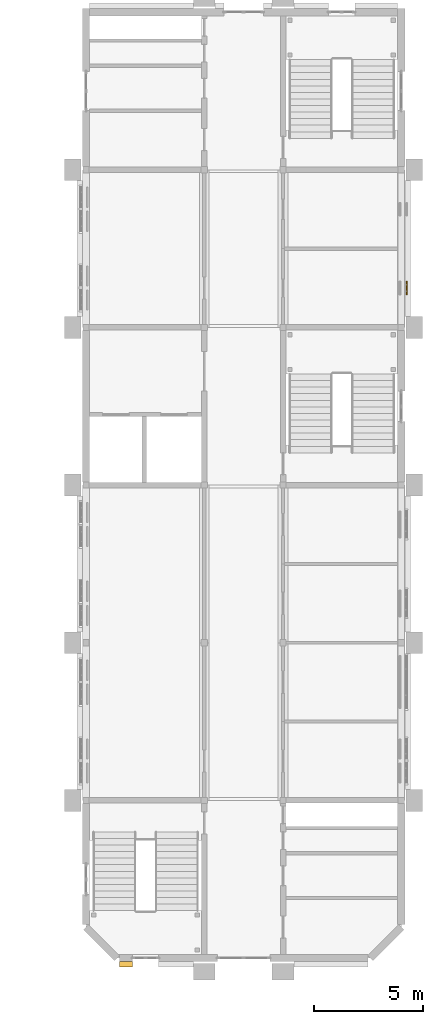
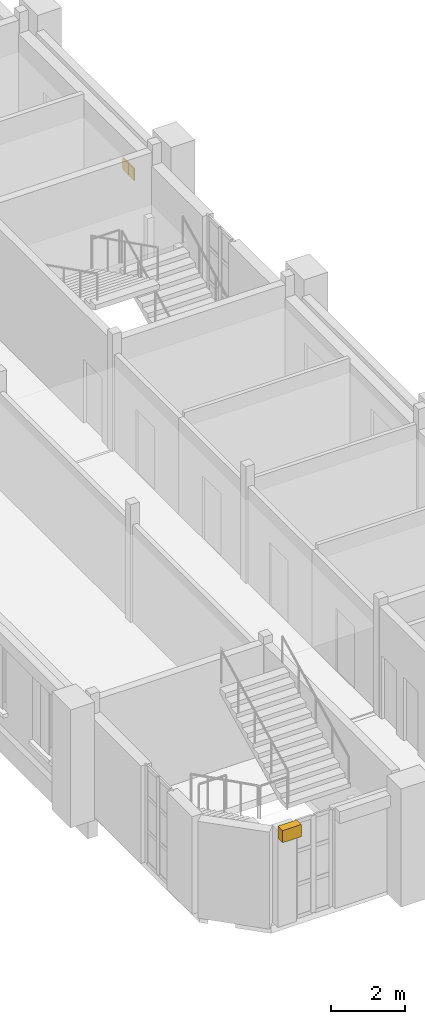
# One storey, part 68 of 69: 3 coverings.
"""IFC4 building model written with IfcOpenShell, lengths in metres."""

from ifc_helpers import new_model, si_unit, direction, frame, origin, origin_2d, place, context, subcontext, project, spatial, polyline, rectangle, outline, extrude, material, layer, layer_set, type_object, element, save


model = new_model("IFC4")

# Units and contexts
model_context = context("Model", 3, precision=1e-05, world=origin(), true_north=direction((0.0, 1.0)))
body_context = subcontext(model_context, "Body", "Model", "MODEL_VIEW")
ifc_project = project(units=[si_unit("LENGTHUNIT", "METRE"), si_unit("AREAUNIT", "SQUARE_METRE"), si_unit("VOLUMEUNIT", "CUBIC_METRE"), si_unit("PLANEANGLEUNIT", "RADIAN"), si_unit("MASSUNIT", "GRAM", prefix="KILO")], contexts=[model_context])

# Site, building, storey
site_placement = place(None, origin())
site = spatial("IfcSite", under=ifc_project, at=site_placement, CompositionType="ELEMENT")
building_placement = place(site_placement, origin())
building = spatial("IfcBuilding", under=site, at=building_placement, Name="Mazhai Court Health Centre", CompositionType="ELEMENT")
storey_placement = place(building_placement, frame((0.0, 0.0, 6.300048828125)))
storey = spatial("IfcBuildingStorey", under=building, at=storey_placement, Name="L01", CompositionType="ELEMENT", Elevation=6.300048828125)

# Coverings
ifc_material_1 = material(Name="Clay brick masonry", Category="masonry")
ifc_layer_1 = layer(ifc_material_1, 0.25)
ifc_layer_set_1 = layer_set([ifc_layer_1], Name="BRICK BAND 250")
covering_type_1 = type_object("IfcCoveringType", Name="BRICK BAND 250", PredefinedType="MOLDING", material=ifc_layer_set_1)
covering_placement = place(storey_placement, frame((0.0, 0.0, 2.949951171875)))
element("IfcCovering", 1, at=covering_placement, inside=storey, type_object=covering_type_1, Name="EB-V6-L01-Sp0-0", PredefinedType="MOLDING", context=body_context, shape_type="SweptSolid", body=[
    extrude(outline(polyline([(137.919921875, 6.034912109375), (137.3310546875, 6.034912109375), (137.3310546875, 5.784912109375), (137.919921875, 5.784912109375), (137.919921875, 6.034912109375)])), origin(), (0.0, 0.0, 1.0), 0.39990234375),
])
ifc_material_2 = material(Name="Aluminium louvre", Category="aluminium")
ifc_layer_2 = layer(ifc_material_2, 0.0400390625)
ifc_layer_set_2 = layer_set([ifc_layer_2], Name="SHUTTER LEAF 600x40")
covering_type_2 = type_object("IfcCoveringType", Name="SHUTTER LEAF 600x40", PredefinedType="CLADDING", material=ifc_layer_set_2)
for number, where, z_axis, x_axis, name in (
    (2, (150.445068359375, 36.64990234375, 1.60009765625), (0.0, 0.0, 1.0), (0.0, 1.0, 0.0), "LV-V6-L01-B40a"),
    (3, (150.445068359375, 36.949951171875, 1.60009765625), (0.0, 0.0, 1.0), (0.0, 1.0, 0.0), "LV-V6-L01-B40b"),
):
    element("IfcCovering", number, at=place(storey_placement, frame(where, z_axis=z_axis, x_axis=x_axis)), inside=storey, type_object=covering_type_2, Name=name, PredefinedType="CLADDING", context=body_context, shape_type="SweptSolid", body=[
        extrude(rectangle(XDim=0.300048828125, YDim=0.0400390625, at=origin_2d()), origin(), (0.0, 0.0, 1.0), 0.39990234375),
    ])

save(model, "model.ifc")
